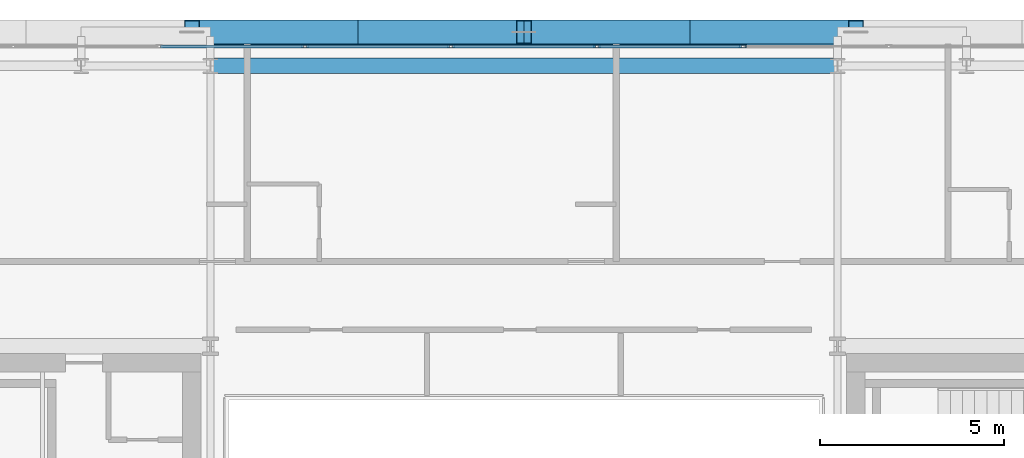
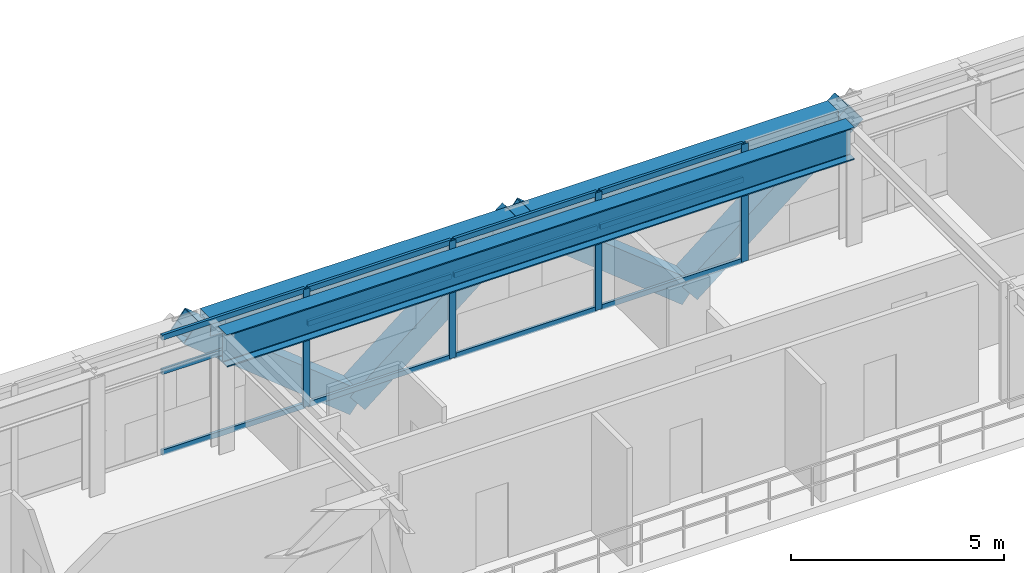
# One storey, part 17 of 32: 20 members, 2 beams, 1 element without a shape of its own.
"""IFC4 building model written with IfcOpenShell, lengths in metres."""

import ifcopenshell
import ifcopenshell.guid

model = None  # the IFC model being written
_history = None  # IfcOwnerHistory: only IFC2X3 demands one
_inside = {}  # id of a spatial element -> (the spatial element, [elements in it])
_under = {}  # id of a project, library or spatial element -> (it, [spatial elements below it])
_declared = {}  # id of a project -> (the project, [libraries it declares])
_typed = {}  # id of a type object -> (the type object, [elements of that type])
_made_of = {}  # id of a material, layer set ... -> (it, [elements and type objects made of it])


def new_model(schema):
    """Start an empty IFC model of exactly this schema.

    Asked for "IFC4X3", IfcOpenShell would pick the latest addendum, in which some entities
    have other attributes; the version numbers below select the first issue.
    IFC2X3 requires an IfcOwnerHistory on every rooted entity: one is made here for all.
    """
    global model, _history
    if schema == "IFC4X3":
        model = ifcopenshell.file(schema_version=(4, 3, 0, 0))
    else:
        model = ifcopenshell.file(schema=schema)
    _inside.clear()
    _under.clear()
    _declared.clear()
    _typed.clear()
    _made_of.clear()
    _history = None
    if model.schema == "IFC2X3":
        org = make("IfcOrganization", Name="unknown")
        user = make(
            "IfcPersonAndOrganization",
            ThePerson=make("IfcPerson", FamilyName="unknown"),
            TheOrganization=org,
        )
        app = make(
            "IfcApplication",
            ApplicationDeveloper=org,
            Version="unknown",
            ApplicationFullName="unknown",
            ApplicationIdentifier="unknown",
        )
        _history = make(
            "IfcOwnerHistory",
            OwningUser=user,
            OwningApplication=app,
            ChangeAction="ADDED",
            CreationDate=0,
        )
    return model


def make(cls, **values):
    """One entity of the class cls with the attributes given. An attribute that is None is left unset."""
    return model.create_entity(
        cls, **{name: value for name, value in values.items() if value is not None}
    )


def rooted(cls, **values):
    """An entity with a GlobalId (a new one), such as an element, a storey or a relation."""
    return make(cls, GlobalId=ifcopenshell.guid.new(), OwnerHistory=_history, **values)


def si_unit(unit_type, name, prefix=None):
    """IfcSIUnit, for example si_unit("LENGTHUNIT", "METRE", prefix="MILLI")."""
    return make("IfcSIUnit", UnitType=unit_type, Prefix=prefix, Name=name)


def assignment(units):
    """IfcUnitAssignment: the units of a project."""
    return None if units is None else make("IfcUnitAssignment", Units=units)


def point(xyz):
    """IfcCartesianPoint."""
    return None if xyz is None else make("IfcCartesianPoint", Coordinates=xyz)


def direction(xyz):
    """IfcDirection."""
    return None if xyz is None else make("IfcDirection", DirectionRatios=xyz)


def frame(location, z_axis=None, x_axis=None):
    """IfcAxis2Placement3D, a coordinate frame: its origin and axes. An axis left out is left unset."""
    return make(
        "IfcAxis2Placement3D",
        Location=point(location),
        Axis=direction(z_axis),
        RefDirection=direction(x_axis),
    )


def frame_2d(location, x_axis=None):
    """IfcAxis2Placement2D, a coordinate frame in the plane: its origin and x axis."""
    return make(
        "IfcAxis2Placement2D", Location=point(location), RefDirection=direction(x_axis)
    )


def origin():
    """The frame at (0, 0, 0) with its axes left unset."""
    return frame((0.0, 0.0, 0.0))


def origin_2d():
    """The frame at (0, 0) in the plane with its x axis left unset."""
    return frame_2d((0.0, 0.0))


def place(relative_to, where):
    """IfcLocalPlacement: puts the frame where relative to a parent placement (None: the world)."""
    return make(
        "IfcLocalPlacement", PlacementRelTo=relative_to, RelativePlacement=where
    )


def context(
    kind, dimensions, precision=None, world=None, true_north=None, identifier=None
):
    """IfcGeometricRepresentationContext, for example the 3D "Model" context."""
    return make(
        "IfcGeometricRepresentationContext",
        ContextIdentifier=identifier,
        ContextType=kind,
        CoordinateSpaceDimension=dimensions,
        Precision=precision,
        WorldCoordinateSystem=world,
        TrueNorth=true_north,
    )


def subcontext(parent, identifier, kind, view, scale=None):
    """IfcGeometricRepresentationSubContext, for example "Body" below "Model"."""
    return make(
        "IfcGeometricRepresentationSubContext",
        ContextIdentifier=identifier,
        ContextType=kind,
        ParentContext=parent,
        TargetScale=scale,
        TargetView=view,
    )


def project(units=None, contexts=None):
    """IfcProject with its units and contexts."""
    return rooted(
        "IfcProject",
        Name="project",
        RepresentationContexts=contexts,
        UnitsInContext=assignment(units),
    )


def spatial(cls, under=None, at=None, **own):
    """A site, building, storey or space (cls), placed at a placement, below another one or the project."""
    s = rooted(cls, ObjectPlacement=at, **own)
    if under is not None:
        _under.setdefault(under.id(), (under, []))[1].append(s)
    return s


def profile(cls, at=None, kind="AREA", **sizes):
    """A parametric profile (cls). Its sizes go by their IFC names, for example OverallWidth=200.0."""
    return make(cls, ProfileType=kind, Position=at, **sizes)


def hollow_rectangle(**sizes):
    """IfcRectangleHollowProfileDef."""
    return profile("IfcRectangleHollowProfileDef", **sizes)


def i_section(**sizes):
    """IfcIShapeProfileDef."""
    return profile("IfcIShapeProfileDef", **sizes)


def extrude(swept, where, along, depth):
    """IfcExtrudedAreaSolid: the profile swept, set in the frame where, extruded along a direction by depth."""
    return make(
        "IfcExtrudedAreaSolid",
        SweptArea=swept,
        Position=where,
        ExtrudedDirection=direction(along),
        Depth=depth,
    )


def shape(context_of_items, identifier, shape_type, items):
    """IfcShapeRepresentation: the items that make up one representation, for example the "Body"."""
    return make(
        "IfcShapeRepresentation",
        ContextOfItems=context_of_items,
        RepresentationIdentifier=identifier,
        RepresentationType=shape_type,
        Items=items,
    )


def source(mapping_origin, context_of_items, identifier, shape_type, items):
    """IfcRepresentationMap: a shape defined once, which mapped items show again and again."""
    return make(
        "IfcRepresentationMap",
        MappingOrigin=mapping_origin,
        MappedRepresentation=shape(context_of_items, identifier, shape_type, items),
    )


def transform(
    local_origin,
    x_axis=None,
    y_axis=None,
    z_axis=None,
    scale=None,
    scale2=None,
    scale3=None,
    uniform=True,
):
    """IfcCartesianTransformationOperator3D, or its non-uniform kind. x_axis, y_axis, z_axis: its Axis1, 2, 3."""
    if uniform:
        return make(
            "IfcCartesianTransformationOperator3D",
            Axis1=direction(x_axis),
            Axis2=direction(y_axis),
            LocalOrigin=point(local_origin),
            Scale=scale,
            Axis3=direction(z_axis),
        )
    return make(
        "IfcCartesianTransformationOperator3DnonUniform",
        Axis1=direction(x_axis),
        Axis2=direction(y_axis),
        LocalOrigin=point(local_origin),
        Scale=scale,
        Axis3=direction(z_axis),
        Scale2=scale2,
        Scale3=scale3,
    )


def mapped(mapping_source, mapping_target):
    """IfcMappedItem: shows the shape of a source again, moved by a transform."""
    return make(
        "IfcMappedItem", MappingSource=mapping_source, MappingTarget=mapping_target
    )


def material(Name=None, Category=None):
    """IfcMaterial."""
    return make("IfcMaterial", Name=Name, Category=Category)


def layer(
    of_material, thickness, ventilated=None, Name=None, Category=None, Priority=None
):
    """IfcMaterialLayer: one layer of a wall or slab, of a material (None: an air gap)."""
    return make(
        "IfcMaterialLayer",
        Material=of_material,
        LayerThickness=thickness,
        IsVentilated=ventilated,
        Name=Name,
        Category=Category,
        Priority=Priority,
    )


def layer_set(layers, Name=None):
    """IfcMaterialLayerSet."""
    return make("IfcMaterialLayerSet", MaterialLayers=layers, LayerSetName=Name)


def material_profile(
    of_material, cross_section, Name=None, Category=None, Priority=None
):
    """IfcMaterialProfile: a cross section and its material."""
    return make(
        "IfcMaterialProfile",
        Name=Name,
        Material=of_material,
        Profile=cross_section,
        Priority=Priority,
        Category=Category,
    )


def profile_set(profiles, Name=None, composite=None):
    """IfcMaterialProfileSet."""
    return make(
        "IfcMaterialProfileSet",
        Name=Name,
        MaterialProfiles=profiles,
        CompositeProfile=composite,
    )


def made_of(thing, what):
    """Note that an element or type object is made of a material, layer set ...; save() writes the relation."""
    if what is not None:
        _made_of.setdefault(what.id(), (what, []))[1].append(thing)
    return thing


def type_object(cls, material=None, **own):
    """A type object (cls), such as IfcWallType, which elements share."""
    return made_of(rooted(cls, **own), material)


def element(
    cls,
    number,
    at=None,
    inside=None,
    cuts=None,
    type_object=None,
    material=None,
    context=None,
    identifier="Body",
    shape_type=None,
    held_by="IfcProductDefinitionShape",
    body=None,
    shapes=None,
    **own,
):
    """One element of the class cls, such as IfcWall. Its Tag is "e" and its number.

    at: its placement. inside: the storey or other place that contains it. cuts: it is an
    opening in that element (IfcRelVoidsElement). A single representation is given by context,
    identifier, shape_type and body (its items); several are given by shapes. held_by: the class
    of the entity that holds the representations. save() writes the other relations.
    """
    e = rooted(cls, Tag="e%d" % number, ObjectPlacement=at, **own)
    if body is not None:
        shapes = [shape(context, identifier, shape_type, body)]
    if shapes is not None:
        e.Representation = make(held_by, Representations=shapes)
    if inside is not None:
        _inside.setdefault(inside.id(), (inside, []))[1].append(e)
    if cuts is not None:
        rooted(
            "IfcRelVoidsElement", RelatingBuildingElement=cuts, RelatedOpeningElement=e
        )
    if type_object is not None:
        _typed.setdefault(type_object.id(), (type_object, []))[1].append(e)
    return made_of(e, material)


def aggregate(whole, parts):
    """IfcRelAggregates: a whole, such as a stair, and the parts it consists of."""
    return rooted("IfcRelAggregates", RelatingObject=whole, RelatedObjects=parts)


def save(model, path):
    """Write the relations noted so far, then the file.

    IfcRelAggregates (storeys below a building ...), IfcRelContainedInSpatialStructure (elements
    in a storey), IfcRelDefinesByType, IfcRelAssociatesMaterial and IfcRelDeclares: one each for
    every whole, place, type object, material and project.
    """
    for whole, parts in _under.values():
        aggregate(whole, parts)
    for where, things in _inside.values():
        rooted(
            "IfcRelContainedInSpatialStructure",
            RelatedElements=things,
            RelatingStructure=where,
        )
    for kind, things in _typed.values():
        rooted("IfcRelDefinesByType", RelatedObjects=things, RelatingType=kind)
    for what, things in _made_of.values():
        rooted("IfcRelAssociatesMaterial", RelatedObjects=things, RelatingMaterial=what)
    for by, libraries in _declared.values():
        rooted("IfcRelDeclares", RelatingContext=by, RelatedDefinitions=libraries)
    model.write(path)


model = new_model("IFC4")

# Units and contexts
model_context = context("Model", 3, precision=1e-05, world=origin(), true_north=direction((0.0, 1.0)))
body_context = subcontext(model_context, "Body", "Model", "MODEL_VIEW")
ifc_project = project(units=[si_unit("LENGTHUNIT", "METRE"), si_unit("AREAUNIT", "SQUARE_METRE"), si_unit("VOLUMEUNIT", "CUBIC_METRE"), si_unit("PLANEANGLEUNIT", "RADIAN"), si_unit("MASSUNIT", "GRAM", prefix="KILO")], contexts=[model_context])

# Site, building, storey
site_placement = place(None, origin())
site = spatial("IfcSite", under=ifc_project, at=site_placement, CompositionType="ELEMENT")
building_placement = place(site_placement, origin())
building = spatial("IfcBuilding", under=site, at=building_placement, Name="Ocotamira Hotel", CompositionType="ELEMENT")
storey_placement = place(building_placement, frame((0.0, 0.0, 213.60009765625)))
storey = spatial("IfcBuildingStorey", under=building, at=storey_placement, Name="L54", CompositionType="ELEMENT", Elevation=213.60009765625)

# Beams
ifc_material_1 = material(Name="Steel ASTM A992 Grade 50", Category="steel")
ifc_material_profile_1 = material_profile(ifc_material_1, i_section(OverallWidth=0.41796875, OverallDepth=0.927001953125, WebThickness=0.019287109375, FlangeThickness=0.031982421875, FilletRadius=0.02392578125, at=origin_2d()), Name="W36X231")
ifc_profile_set_1 = profile_set([ifc_material_profile_1], Name="Steel ASTM A992 Grade 50")
beam_type_1 = type_object("IfcBeamType", Name="BM-GIRD-W36X231", PredefinedType="BEAM", material=ifc_profile_set_1)
shared_shape_1 = source(origin(), body_context, "Body", "SweptSolid", [
    extrude(i_section(OverallWidth=0.41796875, OverallDepth=0.927001953125, WebThickness=0.019287109375, FlangeThickness=0.031982421875, FilletRadius=0.02392578125, at=origin_2d()), origin(), (0.0, 0.0, 1.0), 17.0),
])
beam_1_placement = place(storey_placement, frame((23.5, 45.050048828125, 2.906494140625), z_axis=(1.0, 0.0, 0.0), x_axis=(0.0, 1.0, 0.0)))
element("IfcBeam", 1, at=beam_1_placement, inside=storey, type_object=beam_type_1, Name="L54 Girder Y45.05 X23.5-40.5", PredefinedType="BEAM", context=body_context, shape_type="MappedRepresentation", body=[
    mapped(shared_shape_1, transform((0.0, 0.0, 0.0), scale=1.0)),
])
ifc_material_2 = material(Name="Steel ASTM A500 Grade C", Category="steel")
ifc_material_profile_2 = material_profile(ifc_material_2, hollow_rectangle(XDim=0.5, YDim=0.5, WallThickness=0.02001953125, at=origin_2d()), Name="HSS500X500X20")
ifc_profile_set_2 = profile_set([ifc_material_profile_2], Name="Steel ASTM A500 Grade C")
beam_type_2 = type_object("IfcBeamType", Name="BM-SPAN-HSS500", PredefinedType="USERDEFINED", material=ifc_profile_set_2)
shared_shape_2 = source(origin(), body_context, "Body", "SweptSolid", [
    extrude(hollow_rectangle(XDim=0.5, YDim=0.5, WallThickness=0.02001953125, at=origin_2d()), origin(), (0.0, 0.0, 1.0), 17.0),
])
beam_2_placement = place(storey_placement, frame((23.5, 45.85009765625, 3.119873046875), z_axis=(1.0, 0.0, 0.0), x_axis=(0.0, 1.0, 0.0)))
element("IfcBeam", 2, at=beam_2_placement, inside=storey, type_object=beam_type_2, Name="L54 Edge Spandrel N X23.5-40.5", ObjectType="SPANDREL", PredefinedType="USERDEFINED", context=body_context, shape_type="MappedRepresentation", body=[
    mapped(shared_shape_2, transform((0.0, 0.0, 0.0), scale=1.0)),
])

# Members
ifc_material_3 = material(Name="Pale-metal coated steel ASTM A913 Grade 65", Category="steel")
ifc_material_profile_3 = material_profile(ifc_material_3, hollow_rectangle(XDim=0.64990234375, YDim=0.64990234375, WallThickness=0.02197265625, at=origin_2d()), Name="BOX650X650X22")
ifc_profile_set_3 = profile_set([ifc_material_profile_3], Name="Pale-metal coated steel ASTM A913 Grade 65")
member_type_1 = type_object("IfcMemberType", Name="MEM-EXO-BOX650", PredefinedType="BRACE", material=ifc_profile_set_3)
shared_shape_3 = source(origin(), body_context, "Body", "SweptSolid", [
    extrude(hollow_rectangle(XDim=0.64990234375, YDim=0.64990234375, WallThickness=0.02197265625, at=origin_2d()), origin(), (0.0, 0.0, 1.0), 5.7626953125),
])
for number, where, z_axis, x_axis, name in (
    (3, (27.5, 45.969970703125, -0.47998046875), (-0.780881208953, 0.0, 0.624679547852), (0.0, -1.0, 0.0), "L54 Exoskeleton Diagrid N1.1"),
    (4, (27.5, 45.969970703125, -0.47998046875), (0.780881208953, 0.0, 0.624679547852), (0.0, 1.0, 0.0), "L54 Exoskeleton Diagrid N1.2"),
    (5, (36.5, 45.969970703125, -0.47998046875), (-0.780881208953, 0.0, 0.624679547852), (0.0, -1.0, 0.0), "L54 Exoskeleton Diagrid N2.1"),
    (6, (36.5, 45.969970703125, -0.47998046875), (0.780881208953, 0.0, 0.624679547852), (0.0, 1.0, 0.0), "L54 Exoskeleton Diagrid N2.2"),
):
    element("IfcMember", number, at=place(storey_placement, frame(where, z_axis=z_axis, x_axis=x_axis)), inside=storey, type_object=member_type_1, Name=name, PredefinedType="BRACE", context=body_context, shape_type="MappedRepresentation", body=[
        mapped(shared_shape_3, transform((0.0, 0.0, 0.0), scale=1.0)),
    ])

# Curtain wall, members
ifc_material_4 = material(Name="Anodised pale-metal aluminium and solar glass", Category="aluminium")
ifc_layer = layer(ifc_material_4, 0.199951171875)
ifc_layer_set = layer_set([ifc_layer], Name="Anodised pale-metal aluminium and solar glass")
curtain_wall_type = type_object("IfcCurtainWallType", Name="CW-SYS4-Z3", PredefinedType="NOTDEFINED", material=ifc_layer_set)
curtain_wall_placement = place(storey_placement, origin())
curtain_wall = element("IfcCurtainWall", 7, at=curtain_wall_placement, inside=storey, type_object=curtain_wall_type, Name="L54 Curtain Wall CW-4 CW-L54-N", PredefinedType="NOTDEFINED")
ifc_material_5 = material(Name="Anodised pale-metal aluminium 6063-T6", Category="aluminium")
ifc_material_profile_4 = material_profile(ifc_material_5, hollow_rectangle(XDim=0.074951171875, YDim=0.14990234375, WallThickness=0.006103515625, at=origin_2d()), Name="HSS150X75X6")
ifc_profile_set_4 = profile_set([ifc_material_profile_4], Name="Anodised pale-metal aluminium 6063-T6")
member_type_2 = type_object("IfcMemberType", Name="CWT-150X75", PredefinedType="USERDEFINED", material=ifc_profile_set_4)
shared_shape_4 = source(origin(), body_context, "Body", "SweptSolid", [
    extrude(hollow_rectangle(XDim=0.074951171875, YDim=0.14990234375, WallThickness=0.006103515625, at=origin_2d()), origin(), (0.0, 0.0, 1.0), 3.87548828125),
])
member_1_placement = place(storey_placement, frame((22.151123046875, 45.580078125, 0.037353515625), z_axis=(1.0, 0.0, 0.0), x_axis=(0.0, 1.0, 0.0)))
member_1 = element("IfcMember", 8, at=member_1_placement, type_object=member_type_2, Name="CW-4 transom 3.1", ObjectType="TRANSOM", PredefinedType="USERDEFINED", context=body_context, shape_type="MappedRepresentation", body=[
    mapped(shared_shape_4, transform((0.0, 0.0, 0.0), scale=1.0)),
])
member_2_placement = place(storey_placement, frame((22.151123046875, 45.580078125, 2.349853515625), z_axis=(1.0, 0.0, 0.0), x_axis=(0.0, 1.0, 0.0)))
member_2 = element("IfcMember", 9, at=member_2_placement, type_object=member_type_2, Name="CW-4 transom 3.2", ObjectType="TRANSOM", PredefinedType="USERDEFINED", context=body_context, shape_type="MappedRepresentation", body=[
    mapped(shared_shape_4, transform((0.0, 0.0, 0.0), scale=1.0)),
])
member_3_placement = place(storey_placement, frame((22.151123046875, 45.580078125, 3.33251953125), z_axis=(1.0, 0.0, 0.0), x_axis=(0.0, 1.0, 0.0)))
member_3 = element("IfcMember", 10, at=member_3_placement, type_object=member_type_2, Name="CW-4 transom 3.3", ObjectType="TRANSOM", PredefinedType="USERDEFINED", context=body_context, shape_type="MappedRepresentation", body=[
    mapped(shared_shape_4, transform((0.0, 0.0, 0.0), scale=1.0)),
])
member_4_placement = place(storey_placement, frame((26.106689453125, 45.580078125, 0.037353515625), z_axis=(1.0, 0.0, 0.0), x_axis=(0.0, 1.0, 0.0)))
member_4 = element("IfcMember", 11, at=member_4_placement, type_object=member_type_2, Name="CW-4 transom 4.1", ObjectType="TRANSOM", PredefinedType="USERDEFINED", context=body_context, shape_type="MappedRepresentation", body=[
    mapped(shared_shape_4, transform((0.0, 0.0, 0.0), scale=1.0)),
])
member_5_placement = place(storey_placement, frame((26.106689453125, 45.580078125, 2.349853515625), z_axis=(1.0, 0.0, 0.0), x_axis=(0.0, 1.0, 0.0)))
member_5 = element("IfcMember", 12, at=member_5_placement, type_object=member_type_2, Name="CW-4 transom 4.2", ObjectType="TRANSOM", PredefinedType="USERDEFINED", context=body_context, shape_type="MappedRepresentation", body=[
    mapped(shared_shape_4, transform((0.0, 0.0, 0.0), scale=1.0)),
])
member_6_placement = place(storey_placement, frame((26.106689453125, 45.580078125, 3.33251953125), z_axis=(1.0, 0.0, 0.0), x_axis=(0.0, 1.0, 0.0)))
member_6 = element("IfcMember", 13, at=member_6_placement, type_object=member_type_2, Name="CW-4 transom 4.3", ObjectType="TRANSOM", PredefinedType="USERDEFINED", context=body_context, shape_type="MappedRepresentation", body=[
    mapped(shared_shape_4, transform((0.0, 0.0, 0.0), scale=1.0)),
])
member_7_placement = place(storey_placement, frame((30.062255859375, 45.580078125, 0.037353515625), z_axis=(1.0, 0.0, 0.0), x_axis=(0.0, 1.0, 0.0)))
member_7 = element("IfcMember", 14, at=member_7_placement, type_object=member_type_2, Name="CW-4 transom 5.1", ObjectType="TRANSOM", PredefinedType="USERDEFINED", context=body_context, shape_type="MappedRepresentation", body=[
    mapped(shared_shape_4, transform((0.0, 0.0, 0.0), scale=1.0)),
])
member_8_placement = place(storey_placement, frame((30.062255859375, 45.580078125, 2.349853515625), z_axis=(1.0, 0.0, 0.0), x_axis=(0.0, 1.0, 0.0)))
member_8 = element("IfcMember", 15, at=member_8_placement, type_object=member_type_2, Name="CW-4 transom 5.2", ObjectType="TRANSOM", PredefinedType="USERDEFINED", context=body_context, shape_type="MappedRepresentation", body=[
    mapped(shared_shape_4, transform((0.0, 0.0, 0.0), scale=1.0)),
])
member_9_placement = place(storey_placement, frame((30.062255859375, 45.580078125, 3.33251953125), z_axis=(1.0, 0.0, 0.0), x_axis=(0.0, 1.0, 0.0)))
member_9 = element("IfcMember", 16, at=member_9_placement, type_object=member_type_2, Name="CW-4 transom 5.3", ObjectType="TRANSOM", PredefinedType="USERDEFINED", context=body_context, shape_type="MappedRepresentation", body=[
    mapped(shared_shape_4, transform((0.0, 0.0, 0.0), scale=1.0)),
])
member_10_placement = place(storey_placement, frame((34.017822265625, 45.580078125, 0.037353515625), z_axis=(1.0, 0.0, 0.0), x_axis=(0.0, 1.0, 0.0)))
member_10 = element("IfcMember", 17, at=member_10_placement, type_object=member_type_2, Name="CW-4 transom 6.1", ObjectType="TRANSOM", PredefinedType="USERDEFINED", context=body_context, shape_type="MappedRepresentation", body=[
    mapped(shared_shape_4, transform((0.0, 0.0, 0.0), scale=1.0)),
])
member_11_placement = place(storey_placement, frame((34.017822265625, 45.580078125, 2.349853515625), z_axis=(1.0, 0.0, 0.0), x_axis=(0.0, 1.0, 0.0)))
member_11 = element("IfcMember", 18, at=member_11_placement, type_object=member_type_2, Name="CW-4 transom 6.2", ObjectType="TRANSOM", PredefinedType="USERDEFINED", context=body_context, shape_type="MappedRepresentation", body=[
    mapped(shared_shape_4, transform((0.0, 0.0, 0.0), scale=1.0)),
])
member_12_placement = place(storey_placement, frame((34.017822265625, 45.580078125, 3.33251953125), z_axis=(1.0, 0.0, 0.0), x_axis=(0.0, 1.0, 0.0)))
member_12 = element("IfcMember", 19, at=member_12_placement, type_object=member_type_2, Name="CW-4 transom 6.3", ObjectType="TRANSOM", PredefinedType="USERDEFINED", context=body_context, shape_type="MappedRepresentation", body=[
    mapped(shared_shape_4, transform((0.0, 0.0, 0.0), scale=1.0)),
])
ifc_material_profile_5 = material_profile(ifc_material_5, hollow_rectangle(XDim=0.080078125, YDim=0.179931640625, WallThickness=0.006103515625, at=origin_2d()), Name="HSS180X80X6")
ifc_profile_set_5 = profile_set([ifc_material_profile_5], Name="Anodised pale-metal aluminium 6063-T6")
member_type_3 = type_object("IfcMemberType", Name="CWM-180X75", PredefinedType="MULLION", material=ifc_profile_set_5)
shared_shape_5 = source(origin(), body_context, "Body", "SweptSolid", [
    extrude(hollow_rectangle(XDim=0.080078125, YDim=0.179931640625, WallThickness=0.006103515625, at=origin_2d()), origin(), (0.0, 0.0, 1.0), 3.369873046875),
])
member_13_placement = place(storey_placement, frame((26.066650390625, 45.580078125, 0.0), z_axis=(0.0, 0.0, 1.0), x_axis=(0.0, 1.0, 0.0)))
member_13 = element("IfcMember", 20, at=member_13_placement, type_object=member_type_3, Name="CW-4 mullion 4", PredefinedType="MULLION", context=body_context, shape_type="MappedRepresentation", body=[
    mapped(shared_shape_5, transform((0.0, 0.0, 0.0), scale=1.0)),
])
member_14_placement = place(storey_placement, frame((30.022216796875, 45.580078125, 0.0), z_axis=(0.0, 0.0, 1.0), x_axis=(0.0, 1.0, 0.0)))
member_14 = element("IfcMember", 21, at=member_14_placement, type_object=member_type_3, Name="CW-4 mullion 5", PredefinedType="MULLION", context=body_context, shape_type="MappedRepresentation", body=[
    mapped(shared_shape_5, transform((0.0, 0.0, 0.0), scale=1.0)),
])
member_15_placement = place(storey_placement, frame((33.977783203125, 45.580078125, 0.0), z_axis=(0.0, 0.0, 1.0), x_axis=(0.0, 1.0, 0.0)))
member_15 = element("IfcMember", 22, at=member_15_placement, type_object=member_type_3, Name="CW-4 mullion 6", PredefinedType="MULLION", context=body_context, shape_type="MappedRepresentation", body=[
    mapped(shared_shape_5, transform((0.0, 0.0, 0.0), scale=1.0)),
])
member_16_placement = place(storey_placement, frame((37.933349609375, 45.580078125, 0.0), z_axis=(0.0, 0.0, 1.0), x_axis=(0.0, 1.0, 0.0)))
member_16 = element("IfcMember", 23, at=member_16_placement, type_object=member_type_3, Name="CW-4 mullion 7", PredefinedType="MULLION", context=body_context, shape_type="MappedRepresentation", body=[
    mapped(shared_shape_5, transform((0.0, 0.0, 0.0), scale=1.0)),
])
aggregate(curtain_wall, [member_13, member_14, member_15, member_16, member_1, member_2, member_3, member_4, member_5, member_6, member_7, member_8, member_9, member_10, member_11, member_12])

save(model, "model.ifc")
